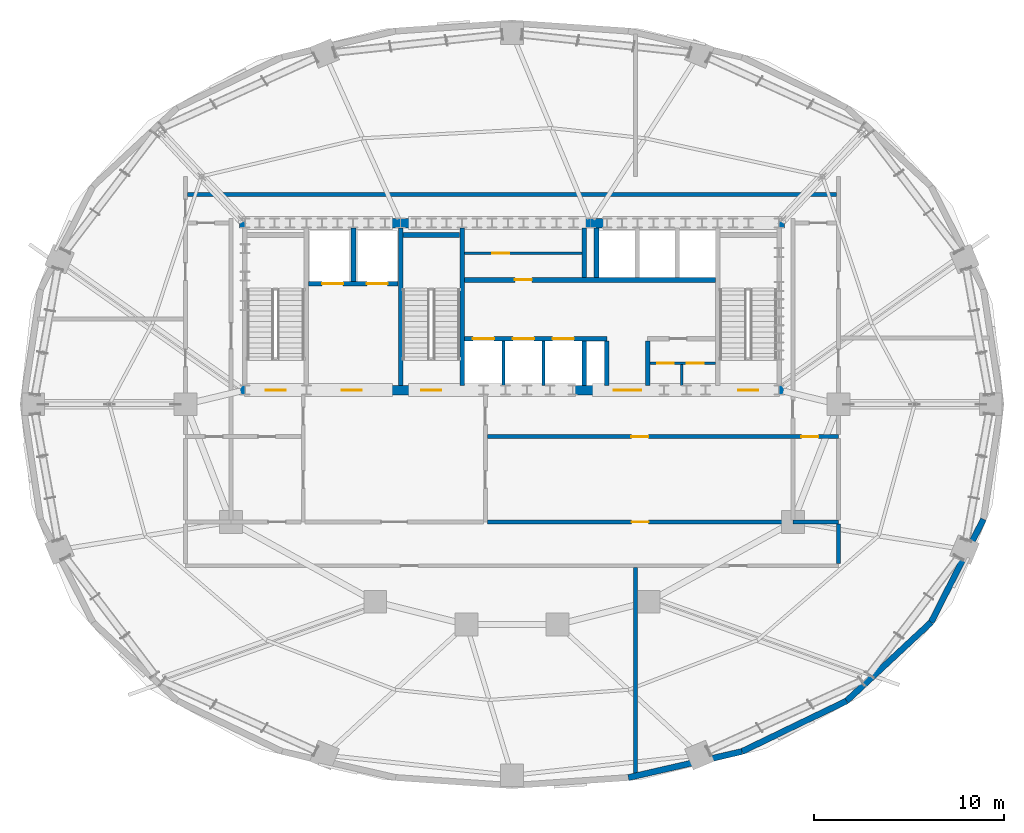
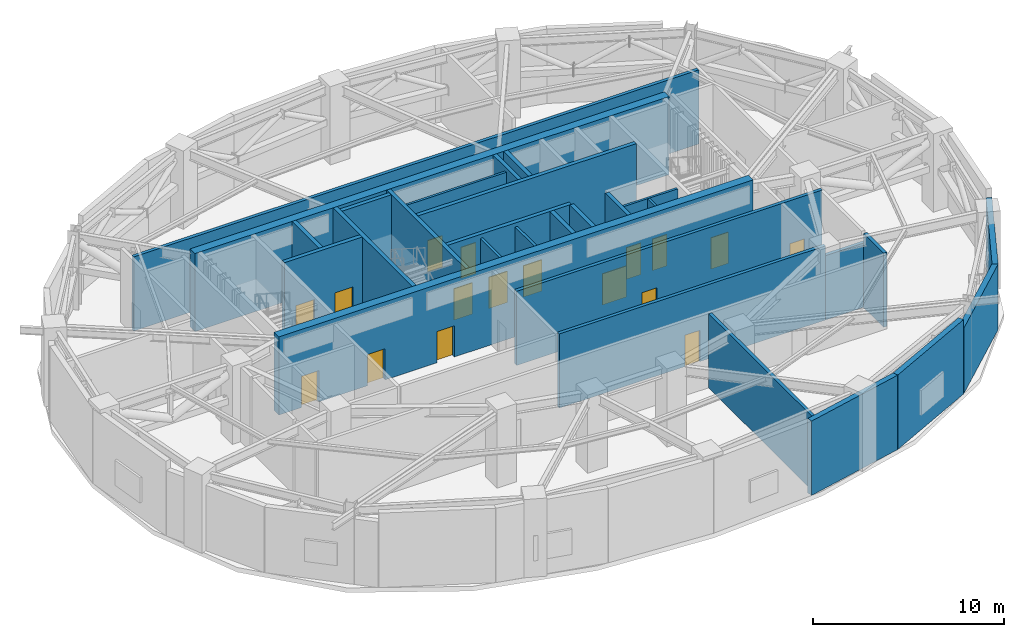
# One storey, part 12 of 17: 29 walls, 17 doors, 17 openings.
"""IFC4 building model written with IfcOpenShell, lengths in metres."""

import ifcopenshell
import ifcopenshell.guid

model = None  # the IFC model being written
_history = None  # IfcOwnerHistory: only IFC2X3 demands one
_inside = {}  # id of a spatial element -> (the spatial element, [elements in it])
_under = {}  # id of a project, library or spatial element -> (it, [spatial elements below it])
_declared = {}  # id of a project -> (the project, [libraries it declares])
_typed = {}  # id of a type object -> (the type object, [elements of that type])
_made_of = {}  # id of a material, layer set ... -> (it, [elements and type objects made of it])


def new_model(schema):
    """Start an empty IFC model of exactly this schema.

    Asked for "IFC4X3", IfcOpenShell would pick the latest addendum, in which some entities
    have other attributes; the version numbers below select the first issue.
    IFC2X3 requires an IfcOwnerHistory on every rooted entity: one is made here for all.
    """
    global model, _history
    if schema == "IFC4X3":
        model = ifcopenshell.file(schema_version=(4, 3, 0, 0))
    else:
        model = ifcopenshell.file(schema=schema)
    _inside.clear()
    _under.clear()
    _declared.clear()
    _typed.clear()
    _made_of.clear()
    _history = None
    if model.schema == "IFC2X3":
        org = make("IfcOrganization", Name="unknown")
        user = make(
            "IfcPersonAndOrganization",
            ThePerson=make("IfcPerson", FamilyName="unknown"),
            TheOrganization=org,
        )
        app = make(
            "IfcApplication",
            ApplicationDeveloper=org,
            Version="unknown",
            ApplicationFullName="unknown",
            ApplicationIdentifier="unknown",
        )
        _history = make(
            "IfcOwnerHistory",
            OwningUser=user,
            OwningApplication=app,
            ChangeAction="ADDED",
            CreationDate=0,
        )
    return model


def make(cls, **values):
    """One entity of the class cls with the attributes given. An attribute that is None is left unset."""
    return model.create_entity(
        cls, **{name: value for name, value in values.items() if value is not None}
    )


def rooted(cls, **values):
    """An entity with a GlobalId (a new one), such as an element, a storey or a relation."""
    return make(cls, GlobalId=ifcopenshell.guid.new(), OwnerHistory=_history, **values)


def si_unit(unit_type, name, prefix=None):
    """IfcSIUnit, for example si_unit("LENGTHUNIT", "METRE", prefix="MILLI")."""
    return make("IfcSIUnit", UnitType=unit_type, Prefix=prefix, Name=name)


def assignment(units):
    """IfcUnitAssignment: the units of a project."""
    return None if units is None else make("IfcUnitAssignment", Units=units)


def point(xyz):
    """IfcCartesianPoint."""
    return None if xyz is None else make("IfcCartesianPoint", Coordinates=xyz)


def direction(xyz):
    """IfcDirection."""
    return None if xyz is None else make("IfcDirection", DirectionRatios=xyz)


def frame(location, z_axis=None, x_axis=None):
    """IfcAxis2Placement3D, a coordinate frame: its origin and axes. An axis left out is left unset."""
    return make(
        "IfcAxis2Placement3D",
        Location=point(location),
        Axis=direction(z_axis),
        RefDirection=direction(x_axis),
    )


def frame_2d(location, x_axis=None):
    """IfcAxis2Placement2D, a coordinate frame in the plane: its origin and x axis."""
    return make(
        "IfcAxis2Placement2D", Location=point(location), RefDirection=direction(x_axis)
    )


def origin():
    """The frame at (0, 0, 0) with its axes left unset."""
    return frame((0.0, 0.0, 0.0))


def place(relative_to, where):
    """IfcLocalPlacement: puts the frame where relative to a parent placement (None: the world)."""
    return make(
        "IfcLocalPlacement", PlacementRelTo=relative_to, RelativePlacement=where
    )


def context(
    kind, dimensions, precision=None, world=None, true_north=None, identifier=None
):
    """IfcGeometricRepresentationContext, for example the 3D "Model" context."""
    return make(
        "IfcGeometricRepresentationContext",
        ContextIdentifier=identifier,
        ContextType=kind,
        CoordinateSpaceDimension=dimensions,
        Precision=precision,
        WorldCoordinateSystem=world,
        TrueNorth=true_north,
    )


def subcontext(parent, identifier, kind, view, scale=None):
    """IfcGeometricRepresentationSubContext, for example "Body" below "Model"."""
    return make(
        "IfcGeometricRepresentationSubContext",
        ContextIdentifier=identifier,
        ContextType=kind,
        ParentContext=parent,
        TargetScale=scale,
        TargetView=view,
    )


def project(units=None, contexts=None):
    """IfcProject with its units and contexts."""
    return rooted(
        "IfcProject",
        Name="project",
        RepresentationContexts=contexts,
        UnitsInContext=assignment(units),
    )


def spatial(cls, under=None, at=None, **own):
    """A site, building, storey or space (cls), placed at a placement, below another one or the project."""
    s = rooted(cls, ObjectPlacement=at, **own)
    if under is not None:
        _under.setdefault(under.id(), (under, []))[1].append(s)
    return s


def profile(cls, at=None, kind="AREA", **sizes):
    """A parametric profile (cls). Its sizes go by their IFC names, for example OverallWidth=200.0."""
    return make(cls, ProfileType=kind, Position=at, **sizes)


def rectangle(**sizes):
    """IfcRectangleProfileDef."""
    return profile("IfcRectangleProfileDef", **sizes)


def extrude(swept, where, along, depth):
    """IfcExtrudedAreaSolid: the profile swept, set in the frame where, extruded along a direction by depth."""
    return make(
        "IfcExtrudedAreaSolid",
        SweptArea=swept,
        Position=where,
        ExtrudedDirection=direction(along),
        Depth=depth,
    )


def shape(context_of_items, identifier, shape_type, items):
    """IfcShapeRepresentation: the items that make up one representation, for example the "Body"."""
    return make(
        "IfcShapeRepresentation",
        ContextOfItems=context_of_items,
        RepresentationIdentifier=identifier,
        RepresentationType=shape_type,
        Items=items,
    )


def material(Name=None, Category=None):
    """IfcMaterial."""
    return make("IfcMaterial", Name=Name, Category=Category)


def layer(
    of_material, thickness, ventilated=None, Name=None, Category=None, Priority=None
):
    """IfcMaterialLayer: one layer of a wall or slab, of a material (None: an air gap)."""
    return make(
        "IfcMaterialLayer",
        Material=of_material,
        LayerThickness=thickness,
        IsVentilated=ventilated,
        Name=Name,
        Category=Category,
        Priority=Priority,
    )


def layer_set(layers, Name=None):
    """IfcMaterialLayerSet."""
    return make("IfcMaterialLayerSet", MaterialLayers=layers, LayerSetName=Name)


def made_of(thing, what):
    """Note that an element or type object is made of a material, layer set ...; save() writes the relation."""
    if what is not None:
        _made_of.setdefault(what.id(), (what, []))[1].append(thing)
    return thing


def type_object(cls, material=None, **own):
    """A type object (cls), such as IfcWallType, which elements share."""
    return made_of(rooted(cls, **own), material)


def element(
    cls,
    number,
    at=None,
    inside=None,
    cuts=None,
    type_object=None,
    material=None,
    context=None,
    identifier="Body",
    shape_type=None,
    held_by="IfcProductDefinitionShape",
    body=None,
    shapes=None,
    **own,
):
    """One element of the class cls, such as IfcWall. Its Tag is "e" and its number.

    at: its placement. inside: the storey or other place that contains it. cuts: it is an
    opening in that element (IfcRelVoidsElement). A single representation is given by context,
    identifier, shape_type and body (its items); several are given by shapes. held_by: the class
    of the entity that holds the representations. save() writes the other relations.
    """
    e = rooted(cls, Tag="e%d" % number, ObjectPlacement=at, **own)
    if body is not None:
        shapes = [shape(context, identifier, shape_type, body)]
    if shapes is not None:
        e.Representation = make(held_by, Representations=shapes)
    if inside is not None:
        _inside.setdefault(inside.id(), (inside, []))[1].append(e)
    if cuts is not None:
        rooted(
            "IfcRelVoidsElement", RelatingBuildingElement=cuts, RelatedOpeningElement=e
        )
    if type_object is not None:
        _typed.setdefault(type_object.id(), (type_object, []))[1].append(e)
    return made_of(e, material)


def fill(opening, filler):
    """IfcRelFillsElement: the door or window that sits in an opening."""
    return rooted(
        "IfcRelFillsElement",
        RelatingOpeningElement=opening,
        RelatedBuildingElement=filler,
    )


def aggregate(whole, parts):
    """IfcRelAggregates: a whole, such as a stair, and the parts it consists of."""
    return rooted("IfcRelAggregates", RelatingObject=whole, RelatedObjects=parts)


def save(model, path):
    """Write the relations noted so far, then the file.

    IfcRelAggregates (storeys below a building ...), IfcRelContainedInSpatialStructure (elements
    in a storey), IfcRelDefinesByType, IfcRelAssociatesMaterial and IfcRelDeclares: one each for
    every whole, place, type object, material and project.
    """
    for whole, parts in _under.values():
        aggregate(whole, parts)
    for where, things in _inside.values():
        rooted(
            "IfcRelContainedInSpatialStructure",
            RelatedElements=things,
            RelatingStructure=where,
        )
    for kind, things in _typed.values():
        rooted("IfcRelDefinesByType", RelatedObjects=things, RelatingType=kind)
    for what, things in _made_of.values():
        rooted("IfcRelAssociatesMaterial", RelatedObjects=things, RelatingMaterial=what)
    for by, libraries in _declared.values():
        rooted("IfcRelDeclares", RelatingContext=by, RelatedDefinitions=libraries)
    model.write(path)


model = new_model("IFC4")

# Units and contexts
model_context = context("Model", 3, precision=1e-05, world=origin(), true_north=direction((0.0, 1.0)))
body_context = subcontext(model_context, "Body", "Model", "MODEL_VIEW")
ifc_project = project(units=[si_unit("LENGTHUNIT", "METRE"), si_unit("AREAUNIT", "SQUARE_METRE"), si_unit("VOLUMEUNIT", "CUBIC_METRE"), si_unit("PLANEANGLEUNIT", "RADIAN"), si_unit("MASSUNIT", "GRAM", prefix="KILO")], contexts=[model_context])

# Site, building, storey
site_placement = place(None, origin())
site = spatial("IfcSite", under=ifc_project, at=site_placement, CompositionType="ELEMENT")
building_placement = place(site_placement, origin())
building = spatial("IfcBuilding", under=site, at=building_placement, Name="Haldorwick Loom Tower", CompositionType="ELEMENT")
storey_placement = place(building_placement, frame((0.0, 0.0, 149.449951171875)))
storey = spatial("IfcBuildingStorey", under=building, at=storey_placement, Name="L40", CompositionType="ELEMENT", Elevation=149.449951171875)

# Walls
ifc_material_1 = material(Name="Pressed Clay Face Brick and Insulated Masonry Backup Assembly", Category="masonry")
ifc_layer_1 = layer(ifc_material_1, 0.320068359375, Name="Pressed Clay Face Brick and Insulated Masonry Backup Assembly", Category="masonry")
ifc_layer_set_1 = layer_set([ifc_layer_1], Name="Pressed Clay Face Brick and Insulated Masonry Backup Assembly")
wall_type_1 = type_object("IfcWallType", Name="ARC-WL-EXT320", PredefinedType="STANDARD", material=ifc_layer_set_1)
wall_1_placement = place(storey_placement, frame((42.12890625, 6.3359375, 0.0), z_axis=(0.0, 0.0, 1.0), x_axis=(0.974593223547, 0.223982250674, 0.0)))
element("IfcWall", 1, at=wall_1_placement, inside=storey, type_object=wall_type_1, Name="L40 Brick Pier and Spandrel Wall 20", PredefinedType="STANDARD", context=body_context, shape_type="SweptSolid", body=[
    extrude(rectangle(XDim=6.138916015625, YDim=0.320068359375, at=frame_2d((3.0693359375, 0.0))), origin(), (0.0, 0.0, 1.0), 4.760009765625),
])
wall_2_placement = place(storey_placement, frame((48.11181640625, 7.7109375, 0.0), z_axis=(0.0, 0.0, 1.0), x_axis=(0.900479976617, 0.434897472644, 0.0)))
element("IfcWall", 2, at=wall_2_placement, inside=storey, type_object=wall_type_1, Name="L40 Brick Pier and Spandrel Wall 21", PredefinedType="STANDARD", context=body_context, shape_type="SweptSolid", body=[
    extrude(rectangle(XDim=6.118408203125, YDim=0.320068359375, at=frame_2d((3.05908203125, 0.0))), origin(), (0.0, 0.0, 1.0), 4.760009765625),
])
for number, where, z_axis, x_axis, name in (
    (3, (53.621337890625, 10.371826171875, 0.0), (0.0, 0.0, 1.0), (0.731982952968, 0.681322945866, 0.0), "L40 Brick Pier and Spandrel Wall 22"),
    (4, (58.07666015625, 14.518798828125, 0.0), (0.0, 0.0, 1.0), (0.453172129629, 0.89142303141, 0.0), "L40 Brick Pier and Spandrel Wall 23"),
):
    element("IfcWall", number, at=place(storey_placement, frame(where, z_axis=z_axis, x_axis=x_axis)), inside=storey, type_object=wall_type_1, Name=name, PredefinedType="STANDARD", context=body_context, shape_type="SweptSolid", body=[
        extrude(rectangle(XDim=6.086669921875, YDim=0.320068359375, at=frame_2d((3.04345703125, 0.0))), origin(), (0.0, 0.0, 1.0), 4.191162109375),
    ])

# Wall, openings, doors
ifc_material_2 = material(Name="Fire-Rated Type X Gypsum Stud Assembly EI 120")
ifc_layer_2 = layer(ifc_material_2, 0.199951171875, Name="Fire-Rated Type X Gypsum Stud Assembly EI 120")
ifc_layer_set_2 = layer_set([ifc_layer_2], Name="Fire-Rated Type X Gypsum Stud Assembly EI 120")
wall_type_2 = type_object("IfcWallType", Name="ARC-WL-FIRE200", PredefinedType="PARTITIONING", material=ifc_layer_set_2)
wall_3_placement = place(storey_placement, frame((34.702880859375, 24.300048828125, 0.0), z_axis=(0.0, 0.0, 1.0), x_axis=(1.0, 0.0, 0.0)))
wall_3 = element("IfcWall", 5, at=wall_3_placement, inside=storey, type_object=wall_type_2, Name="L40 Interior Partition L40-PC-S2", PredefinedType="PARTITIONING", context=body_context, shape_type="SweptSolid", body=[
    extrude(rectangle(XDim=18.4970703125, YDim=0.199951171875, at=frame_2d((9.24853515625, 0.0))), origin(), (0.0, 0.0, 1.0), 4.7451171875),
])
opening_1_placement = place(wall_3_placement, frame((7.58740234375, 0.0, 0.0)))
opening_1 = element("IfcOpeningElement", 6, at=opening_1_placement, cuts=wall_3, Name="Opening D-FD60A", PredefinedType="OPENING", context=body_context, shape_type="SweptSolid", body=[
    extrude(rectangle(XDim=0.89990234375, YDim=2.0, at=frame_2d((0.449951171875, 1.0))), frame((0.0, 0.10986328125, 0.0), z_axis=(0.0, -1.0, 0.0), x_axis=(1.0, 0.0, 0.0)), (0.0, 0.0, 1.0), 0.219970703125),
])
opening_2_placement = place(wall_3_placement, frame((16.53564453125, 0.0, 0.0)))
opening_2 = element("IfcOpeningElement", 7, at=opening_2_placement, cuts=wall_3, Name="Opening D-FD60A", PredefinedType="OPENING", context=body_context, shape_type="SweptSolid", body=[
    extrude(rectangle(XDim=0.89990234375, YDim=2.0, at=frame_2d((0.449951171875, 1.0))), frame((0.0, 0.10986328125, 0.0), z_axis=(0.0, -1.0, 0.0), x_axis=(1.0, 0.0, 0.0)), (0.0, 0.0, 1.0), 0.219970703125),
])
ifc_material_3 = material(Name="Hollow Steel Fire Door Assembly", Category="steel")
door_type_1 = type_object("IfcDoorType", Name="ARC-DR-FD60-90", OperationType="NOTDEFINED", PredefinedType="DOOR", material=ifc_material_3)
door_1_placement = place(opening_1_placement, origin())
door_1 = element("IfcDoor", 8, at=door_1_placement, inside=storey, type_object=door_type_1, Name="L40 East Plant Exit Corridor to Electrical Transformer Room 6 Door", OperationType="SINGLE_SWING_LEFT", OverallHeight=2.0, OverallWidth=0.89990234375, PredefinedType="DOOR", context=body_context, shape_type="SweptSolid", body=[
    extrude(rectangle(XDim=0.89990234375, YDim=2.0, at=frame_2d((0.449951171875, 1.0))), frame((0.0, 0.02490234375, 0.0), z_axis=(0.0, -1.0, 0.0), x_axis=(1.0, 0.0, 0.0)), (0.0, 0.0, 1.0), 0.050048828125),
])
fill(opening_1, door_1)
door_2_placement = place(opening_2_placement, origin())
door_2 = element("IfcDoor", 9, at=door_2_placement, inside=storey, type_object=door_type_1, Name="L40 East Mechanical Corridor to Pump and Tank Plant 7 Door", OperationType="SINGLE_SWING_RIGHT", OverallHeight=2.0, OverallWidth=0.89990234375, PredefinedType="DOOR", context=body_context, shape_type="SweptSolid", body=[
    extrude(rectangle(XDim=0.89990234375, YDim=2.0, at=frame_2d((0.449951171875, 1.0))), frame((0.0, 0.02490234375, 0.0), z_axis=(0.0, -1.0, 0.0), x_axis=(1.0, 0.0, 0.0)), (0.0, 0.0, 1.0), 0.050048828125),
])
fill(opening_2, door_2)

# Wall
wall_4_placement = place(storey_placement, frame((50.800048828125, 19.800048828125, 0.0), z_axis=(0.0, 0.0, 1.0), x_axis=(1.0, 0.0, 0.0)))
element("IfcWall", 10, at=wall_4_placement, inside=storey, type_object=wall_type_2, Name="L40 Interior Partition L40-PC-S4E", PredefinedType="PARTITIONING", context=body_context, shape_type="SweptSolid", body=[
    extrude(rectangle(XDim=2.39990234375, YDim=0.199951171875, at=frame_2d((1.199951171875, 0.0))), origin(), (0.0, 0.0, 1.0), 4.1181640625),
])

# Wall, opening, door
wall_5_placement = place(storey_placement, frame((34.702880859375, 19.800048828125, 0.0), z_axis=(0.0, 0.0, 1.0), x_axis=(1.0, 0.0, 0.0)))
wall_5 = element("IfcWall", 11, at=wall_5_placement, inside=storey, type_object=wall_type_2, Name="L40 Interior Partition L40-PC-S4", PredefinedType="PARTITIONING", context=body_context, shape_type="SweptSolid", body=[
    extrude(rectangle(XDim=16.09716796875, YDim=0.199951171875, at=frame_2d((8.048583984375, 0.0))), origin(), (0.0, 0.0, 1.0), 4.7451171875),
])
opening_3_placement = place(wall_5_placement, frame((7.598388671875, 0.0, 0.0)))
opening_3 = element("IfcOpeningElement", 12, at=opening_3_placement, cuts=wall_5, Name="Opening D-FD60A", PredefinedType="OPENING", context=body_context, shape_type="SweptSolid", body=[
    extrude(rectangle(XDim=0.89990234375, YDim=2.0, at=frame_2d((0.449951171875, 1.0))), frame((0.0, 0.10986328125, 0.0), z_axis=(0.0, -1.0, 0.0), x_axis=(1.0, 0.0, 0.0)), (0.0, 0.0, 1.0), 0.219970703125),
])
door_3_placement = place(opening_3_placement, frame((0.89990234375, 0.0, 0.0), z_axis=(0.0, 0.0, 1.0), x_axis=(-1.0, 0.0, 0.0)))
door_3 = element("IfcDoor", 13, at=door_3_placement, inside=storey, type_object=door_type_1, Name="L40 Electrical Transformer Room 6 to South Plant Service Corridor Door", OperationType="SINGLE_SWING_RIGHT", OverallHeight=2.0, OverallWidth=0.89990234375, PredefinedType="DOOR", context=body_context, shape_type="SweptSolid", body=[
    extrude(rectangle(XDim=0.89990234375, YDim=2.0, at=frame_2d((0.449951171875, 1.0))), frame((0.0, 0.02490234375, 0.0), z_axis=(0.0, -1.0, 0.0), x_axis=(1.0, 0.0, 0.0)), (0.0, 0.0, 1.0), 0.050048828125),
])
fill(opening_3, door_3)

# Walls
wall_6_placement = place(storey_placement, frame((53.199951171875, 17.60302734375, 0.0), z_axis=(0.0, 0.0, 1.0), x_axis=(0.0, 1.0, 0.0)))
element("IfcWall", 14, at=wall_6_placement, inside=storey, type_object=wall_type_2, Name="L40 Interior Partition L40-PC-E1", PredefinedType="PARTITIONING", context=body_context, shape_type="SweptSolid", body=[
    extrude(rectangle(XDim=2.093994140625, YDim=0.199951171875, at=frame_2d((1.046875, 0.0))), origin(), (0.0, 0.0, 1.0), 4.7451171875),
])
wall_7_placement = place(storey_placement, frame((18.903076171875, 37.050048828125, 0.0), z_axis=(0.0, 0.0, 1.0), x_axis=(1.0, 0.0, 0.0)))
element("IfcWall", 15, at=wall_7_placement, inside=storey, type_object=wall_type_2, Name="L40 Interior Partition L40-PC-N1", PredefinedType="PARTITIONING", context=body_context, shape_type="SweptSolid", body=[
    extrude(rectangle(XDim=34.19384765625, YDim=0.199951171875, at=frame_2d((17.096923828125, 0.0))), origin(), (0.0, 0.0, 1.0), 4.7451171875),
])
wall_8_placement = place(storey_placement, frame((42.5, 6.488037109375, 0.0), z_axis=(0.0, 0.0, 1.0), x_axis=(0.0, 1.0, 0.0)))
element("IfcWall", 16, at=wall_8_placement, inside=storey, type_object=wall_type_2, Name="L40 Interior Partition L40-PL-S", PredefinedType="PARTITIONING", context=body_context, shape_type="SweptSolid", body=[
    extrude(rectangle(XDim=10.908935546875, YDim=0.199951171875, at=frame_2d((5.45458984375, 0.0))), origin(), (0.0, 0.0, 1.0), 4.7451171875),
])

# Wall, opening, door
ifc_material_4 = material(Name="Fire-Rated Type X Gypsum Stud Assembly EI 60")
ifc_layer_3 = layer(ifc_material_4, 0.139892578125, Name="Fire-Rated Type X Gypsum Stud Assembly EI 60")
ifc_layer_set_3 = layer_set([ifc_layer_3], Name="Fire-Rated Type X Gypsum Stud Assembly EI 60")
wall_type_3 = type_object("IfcWallType", Name="ARC-WL-PART140", PredefinedType="PARTITIONING", material=ifc_layer_set_3)
wall_9_placement = place(storey_placement, frame((33.492919921875, 33.9599609375, 0.0), z_axis=(0.0, 0.0, 1.0), x_axis=(1.0, 0.0, 0.0)))
wall_9 = element("IfcWall", 17, at=wall_9_placement, inside=storey, type_object=wall_type_3, Name="L40 Alcove Partition", PredefinedType="PARTITIONING", context=body_context, shape_type="SweptSolid", body=[
    extrude(rectangle(XDim=6.18408203125, YDim=0.139892578125, at=frame_2d((3.092041015625, 0.0))), origin(), (0.0, 0.0, 1.0), 4.7451171875),
])
opening_4_placement = place(wall_9_placement, frame((1.45703125, 0.0, 0.0)))
opening_4 = element("IfcOpeningElement", 18, at=opening_4_placement, cuts=wall_9, Name="Opening D-FD60A", PredefinedType="OPENING", context=body_context, shape_type="SweptSolid", body=[
    extrude(rectangle(XDim=0.89990234375, YDim=2.0, at=frame_2d((0.449951171875, 1.0))), frame((0.0, 0.079833984375, 0.0), z_axis=(0.0, -1.0, 0.0), x_axis=(1.0, 0.0, 0.0)), (0.0, 0.0, 1.0), 0.159912109375),
])
door_4_placement = place(opening_4_placement, frame((0.89990234375, 0.0, 0.0), z_axis=(0.0, 0.0, 1.0), x_axis=(-1.0, 0.0, 0.0)))
door_4 = element("IfcDoor", 19, at=door_4_placement, inside=storey, type_object=door_type_1, Name="L40 Trunk Store Door", OperationType="SINGLE_SWING_LEFT", OverallHeight=2.0, OverallWidth=0.89990234375, PredefinedType="DOOR", context=body_context, shape_type="SweptSolid", body=[
    extrude(rectangle(XDim=0.89990234375, YDim=2.0, at=frame_2d((0.449951171875, 1.0))), frame((0.0, 0.02490234375, 0.0), z_axis=(0.0, -1.0, 0.0), x_axis=(1.0, 0.0, 0.0)), (0.0, 0.0, 1.0), 0.050048828125),
])
fill(opening_4, door_4)

# Wall, openings, doors
wall_10_placement = place(storey_placement, frame((43.27294921875, 28.159912109375, 0.0), z_axis=(0.0, 0.0, 1.0), x_axis=(1.0, 0.0, 0.0)))
wall_10 = element("IfcWall", 20, at=wall_10_placement, inside=storey, type_object=wall_type_3, Name="L40 Telecom Partition", PredefinedType="PARTITIONING", context=body_context, shape_type="SweptSolid", body=[
    extrude(rectangle(XDim=3.43408203125, YDim=0.139892578125, at=frame_2d((1.717041015625, 0.0))), origin(), (0.0, 0.0, 1.0), 4.7451171875),
])
opening_5_placement = place(wall_10_placement, frame((0.366943359375, 0.0, 0.0)))
opening_5 = element("IfcOpeningElement", 21, at=opening_5_placement, cuts=wall_10, Name="Opening D-BT88", PredefinedType="OPENING", context=body_context, shape_type="SweptSolid", body=[
    extrude(rectangle(XDim=0.8798828125, YDim=2.02001953125, at=frame_2d((0.43994140625, 1.010009765625))), frame((0.0, 0.079833984375, 0.0), z_axis=(0.0, -1.0, 0.0), x_axis=(1.0, 0.0, 0.0)), (0.0, 0.0, 1.0), 0.159912109375),
])
opening_6_placement = place(wall_10_placement, frame((1.93701171875, 0.0, 0.0)))
opening_6 = element("IfcOpeningElement", 22, at=opening_6_placement, cuts=wall_10, Name="Opening D-BT88", PredefinedType="OPENING", context=body_context, shape_type="SweptSolid", body=[
    extrude(rectangle(XDim=0.8798828125, YDim=2.02001953125, at=frame_2d((0.43994140625, 1.010009765625))), frame((0.0, 0.079833984375, 0.0), z_axis=(0.0, -1.0, 0.0), x_axis=(1.0, 0.0, 0.0)), (0.0, 0.0, 1.0), 0.159912109375),
])
ifc_material_5 = material(Name="Solid Core Birch Architectural Door")
door_type_2 = type_object("IfcDoorType", Name="ARC-DR-BATH88", OperationType="NOTDEFINED", PredefinedType="DOOR", material=ifc_material_5)
door_5_placement = place(opening_5_placement, origin())
door_5 = element("IfcDoor", 23, at=door_5_placement, inside=storey, type_object=door_type_2, Name="L40 Telecom Room Door", OperationType="SINGLE_SWING_LEFT", OverallHeight=2.02001953125, OverallWidth=0.8798828125, PredefinedType="DOOR", context=body_context, shape_type="SweptSolid", body=[
    extrude(rectangle(XDim=0.8798828125, YDim=2.02001953125, at=frame_2d((0.43994140625, 1.010009765625))), frame((0.0, 0.02490234375, 0.0), z_axis=(0.0, -1.0, 0.0), x_axis=(1.0, 0.0, 0.0)), (0.0, 0.0, 1.0), 0.050048828125),
])
fill(opening_5, door_5)
door_6_placement = place(opening_6_placement, origin())
door_6 = element("IfcDoor", 24, at=door_6_placement, inside=storey, type_object=door_type_2, Name="L40 Metering Closet Door", OperationType="SINGLE_SWING_RIGHT", OverallHeight=2.02001953125, OverallWidth=0.8798828125, PredefinedType="DOOR", context=body_context, shape_type="SweptSolid", body=[
    extrude(rectangle(XDim=0.8798828125, YDim=2.02001953125, at=frame_2d((0.43994140625, 1.010009765625))), frame((0.0, 0.02490234375, 0.0), z_axis=(0.0, -1.0, 0.0), x_axis=(1.0, 0.0, 0.0)), (0.0, 0.0, 1.0), 0.050048828125),
])
fill(opening_6, door_6)

# Walls
wall_11_placement = place(storey_placement, frame((44.949951171875, 27.0029296875, 0.0), z_axis=(0.0, 0.0, 1.0), x_axis=(0.0, 1.0, 0.0)))
element("IfcWall", 25, at=wall_11_placement, inside=storey, type_object=wall_type_3, Name="L40 Metering Sub-Partition", PredefinedType="PARTITIONING", context=body_context, shape_type="SweptSolid", body=[
    extrude(rectangle(XDim=1.083984375, YDim=0.139892578125, at=frame_2d((0.5419921875, 0.0))), origin(), (0.0, 0.0, 1.0), 4.7451171875),
])
ifc_layer_4 = layer(ifc_material_2, 0.1650390625, Name="Fire-Rated Type X Gypsum Stud Assembly EI 120")
ifc_layer_set_4 = layer_set([ifc_layer_4], Name="Fire-Rated Type X Gypsum Stud Assembly EI 120")
wall_type_4 = type_object("IfcWallType", Name="ARC-WL-SHAFT160", PredefinedType="MOVABLE", material=ifc_layer_set_4)
for number, where, z_axis, x_axis, name in (
    (26, (35.550048828125, 27.0029296875, 0.0), (0.0, 0.0, 1.0), (0.0, 1.0, 0.0), "L40 Mid-Rise Hoistway Divider 1"),
    (27, (37.64990234375, 27.0029296875, 0.0), (0.0, 0.0, 1.0), (0.0, 1.0, 0.0), "L40 Mid-Rise Hoistway Divider 2"),
):
    element("IfcWall", number, at=place(storey_placement, frame(where, z_axis=z_axis, x_axis=x_axis)), inside=storey, type_object=wall_type_4, Name=name, PredefinedType="MOVABLE", context=body_context, shape_type="SweptSolid", body=[
        extrude(rectangle(XDim=2.323974609375, YDim=0.159912109375, at=frame_2d((1.162109375, 0.0))), origin(), (0.0, 0.0, 1.0), 4.7451171875),
    ])

# Wall, openings, doors
ifc_material_6 = material(Name="Concrete C60 (60 MPa)", Category="concrete")
ifc_layer_5 = layer(ifc_material_6, 0.5, Name="Concrete C60 (60 MPa)", Category="concrete")
ifc_layer_set_5 = layer_set([ifc_layer_5], Name="Concrete C60 (60 MPa)")
wall_type_5 = type_object("IfcWallType", Name="STR-WL-CORE500", PredefinedType="SHEAR", material=ifc_layer_set_5)
wall_12_placement = place(storey_placement, frame((21.64990234375, 26.75, 0.0), z_axis=(0.0, 0.0, 1.0), x_axis=(1.0, 0.0, 0.0)))
wall_12 = element("IfcWall", 28, at=wall_12_placement, inside=storey, type_object=wall_type_5, Name="L40 Core Shear Wall S", PredefinedType="SHEAR", context=body_context, shape_type="SweptSolid", body=[
    extrude(rectangle(XDim=28.7001953125, YDim=0.5, at=frame_2d((14.35009765625, 0.0))), origin(), (0.0, 0.0, 1.0), 5.0),
])
opening_7_placement = place(wall_12_placement, frame((1.375, 0.0, 0.0)))
opening_7 = element("IfcOpeningElement", 29, at=opening_7_placement, cuts=wall_12, Name="Opening D-FD60", PredefinedType="OPENING", context=body_context, shape_type="SweptSolid", body=[
    extrude(rectangle(XDim=1.050048828125, YDim=2.0, at=frame_2d((0.52490234375, 1.0))), frame((0.0, 0.260009765625, 0.0), z_axis=(0.0, -1.0, 0.0), x_axis=(1.0, 0.0, 0.0)), (0.0, 0.0, 1.0), 0.52001953125),
])
opening_8_placement = place(wall_12_placement, frame((5.375, 0.0, 0.0)))
opening_8 = element("IfcOpeningElement", 30, at=opening_8_placement, cuts=wall_12, Name="Opening D-FD60", PredefinedType="OPENING", context=body_context, shape_type="SweptSolid", body=[
    extrude(rectangle(XDim=1.050048828125, YDim=2.0, at=frame_2d((0.52490234375, 1.0))), frame((0.0, 0.260009765625, 0.0), z_axis=(0.0, -1.0, 0.0), x_axis=(1.0, 0.0, 0.0)), (0.0, 0.0, 1.0), 0.52001953125),
])
opening_9_placement = place(wall_12_placement, frame((9.574951171875, 0.0, 0.0)))
opening_9 = element("IfcOpeningElement", 31, at=opening_9_placement, cuts=wall_12, Name="Opening D-FD60", PredefinedType="OPENING", context=body_context, shape_type="SweptSolid", body=[
    extrude(rectangle(XDim=1.050048828125, YDim=2.0, at=frame_2d((0.52490234375, 1.0))), frame((0.0, 0.260009765625, 0.0), z_axis=(0.0, -1.0, 0.0), x_axis=(1.0, 0.0, 0.0)), (0.0, 0.0, 1.0), 0.52001953125),
])
opening_10_placement = place(wall_12_placement, frame((19.705078125, 0.0, 0.0)))
opening_10 = element("IfcOpeningElement", 32, at=opening_10_placement, cuts=wall_12, Name="Opening D-LB15", PredefinedType="OPENING", context=body_context, shape_type="SweptSolid", body=[
    extrude(rectangle(XDim=1.449951171875, YDim=2.0, at=frame_2d((0.72509765625, 1.0))), frame((0.0, 0.260009765625, 0.0), z_axis=(0.0, -1.0, 0.0), x_axis=(1.0, 0.0, 0.0)), (0.0, 0.0, 1.0), 0.52001953125),
])
opening_11_placement = place(wall_12_placement, frame((26.27490234375, 0.0, 0.0)))
opening_11 = element("IfcOpeningElement", 33, at=opening_11_placement, cuts=wall_12, Name="Opening D-FD60", PredefinedType="OPENING", context=body_context, shape_type="SweptSolid", body=[
    extrude(rectangle(XDim=1.050048828125, YDim=2.0, at=frame_2d((0.52490234375, 1.0))), frame((0.0, 0.260009765625, 0.0), z_axis=(0.0, -1.0, 0.0), x_axis=(1.0, 0.0, 0.0)), (0.0, 0.0, 1.0), 0.52001953125),
])
door_type_3 = type_object("IfcDoorType", Name="ARC-DR-FD60", OperationType="NOTDEFINED", PredefinedType="DOOR", material=ifc_material_3)
door_7_placement = place(opening_7_placement, origin())
door_7 = element("IfcDoor", 34, at=door_7_placement, inside=storey, type_object=door_type_3, Name="L40 Exit Stair ST-01 Fire Door", OperationType="SINGLE_SWING_RIGHT", OverallHeight=2.0, OverallWidth=1.050048828125, PredefinedType="DOOR", context=body_context, shape_type="SweptSolid", body=[
    extrude(rectangle(XDim=1.050048828125, YDim=2.0, at=frame_2d((0.52490234375, 1.0))), frame((0.0, 0.02490234375, 0.0), z_axis=(0.0, -1.0, 0.0), x_axis=(1.0, 0.0, 0.0)), (0.0, 0.0, 1.0), 0.050048828125),
])
fill(opening_7, door_7)
door_8_placement = place(opening_8_placement, origin())
door_8 = element("IfcDoor", 35, at=door_8_placement, inside=storey, type_object=door_type_3, Name="L40 Firefighting Lift Lobby Fire Door", OperationType="SINGLE_SWING_LEFT", OverallHeight=2.0, OverallWidth=1.050048828125, PredefinedType="DOOR", context=body_context, shape_type="SweptSolid", body=[
    extrude(rectangle(XDim=1.050048828125, YDim=2.0, at=frame_2d((0.52490234375, 1.0))), frame((0.0, 0.02490234375, 0.0), z_axis=(0.0, -1.0, 0.0), x_axis=(1.0, 0.0, 0.0)), (0.0, 0.0, 1.0), 0.050048828125),
])
fill(opening_8, door_8)
door_9_placement = place(opening_9_placement, origin())
door_9 = element("IfcDoor", 36, at=door_9_placement, inside=storey, type_object=door_type_3, Name="L40 Exit Stair ST-03 Fire Door", OperationType="SINGLE_SWING_LEFT", OverallHeight=2.0, OverallWidth=1.050048828125, PredefinedType="DOOR", context=body_context, shape_type="SweptSolid", body=[
    extrude(rectangle(XDim=1.050048828125, YDim=2.0, at=frame_2d((0.52490234375, 1.0))), frame((0.0, 0.02490234375, 0.0), z_axis=(0.0, -1.0, 0.0), x_axis=(1.0, 0.0, 0.0)), (0.0, 0.0, 1.0), 0.050048828125),
])
fill(opening_9, door_9)
door_10_placement = place(opening_11_placement, origin())
door_10 = element("IfcDoor", 37, at=door_10_placement, inside=storey, type_object=door_type_3, Name="L40 Exit Stair ST-02 Fire Door", OperationType="SINGLE_SWING_LEFT", OverallHeight=2.0, OverallWidth=1.050048828125, PredefinedType="DOOR", context=body_context, shape_type="SweptSolid", body=[
    extrude(rectangle(XDim=1.050048828125, YDim=2.0, at=frame_2d((0.52490234375, 1.0))), frame((0.0, 0.02490234375, 0.0), z_axis=(0.0, -1.0, 0.0), x_axis=(1.0, 0.0, 0.0)), (0.0, 0.0, 1.0), 0.050048828125),
])
fill(opening_11, door_10)
ifc_material_7 = material(Name="Thermally Broken Anodized Aluminium and Tempered Glass", Category="aluminium")
door_type_4 = type_object("IfcDoorType", Name="ARC-DR-LOB150", OperationType="NOTDEFINED", PredefinedType="DOOR", material=ifc_material_7)
door_11_placement = place(opening_10_placement, frame((1.449951171875, 0.0, 0.0), z_axis=(0.0, 0.0, 1.0), x_axis=(-1.0, 0.0, 0.0)))
door_11 = element("IfcDoor", 38, at=door_11_placement, inside=storey, type_object=door_type_4, Name="L40 Passenger Lift Lobby Fire Door", OperationType="DOUBLE_DOOR_SINGLE_SWING", OverallHeight=2.0, OverallWidth=1.449951171875, PredefinedType="DOOR", context=body_context, shape_type="SweptSolid", body=[
    extrude(rectangle(XDim=1.449951171875, YDim=2.0, at=frame_2d((0.72509765625, 1.0))), frame((0.0, 0.02490234375, 0.0), z_axis=(0.0, -1.0, 0.0), x_axis=(1.0, 0.0, 0.0)), (0.0, 0.0, 1.0), 0.050048828125),
])
fill(opening_10, door_11)

# Walls
wall_13_placement = place(storey_placement, frame((50.35009765625, 35.550048828125, 0.0), z_axis=(0.0, 0.0, 1.0), x_axis=(-1.0, 0.0, 0.0)))
element("IfcWall", 39, at=wall_13_placement, inside=storey, type_object=wall_type_5, Name="L40 Core Shear Wall N", PredefinedType="SHEAR", context=body_context, shape_type="SweptSolid", body=[
    extrude(rectangle(XDim=28.7001953125, YDim=0.5, at=frame_2d((14.35009765625, 0.0))), origin(), (0.0, 0.0, 1.0), 5.0),
])
ifc_material_8 = material(Name="Concrete C50 (50 MPa)", Category="concrete")
ifc_layer_6 = layer(ifc_material_8, 0.239990234375, Name="Concrete C50 (50 MPa)", Category="concrete")
ifc_layer_set_6 = layer_set([ifc_layer_6], Name="Concrete C50 (50 MPa)")
wall_type_6 = type_object("IfcWallType", Name="STR-WL-SHAFT240", PredefinedType="SHEAR", material=ifc_layer_set_6)
for number, where, z_axis, x_axis, name in (
    (40, (30.1298828125, 27.0029296875, 0.0), (0.0, 0.0, 1.0), (0.0, 1.0, 0.0), "L40 Core Shear Wall 2"),
    (41, (33.3701171875, 27.0029296875, 0.0), (0.0, 0.0, 1.0), (0.0, 1.0, 0.0), "L40 Core Shear Wall 3"),
):
    element("IfcWall", number, at=place(storey_placement, frame(where, z_axis=z_axis, x_axis=x_axis)), inside=storey, type_object=wall_type_6, Name=name, PredefinedType="SHEAR", context=body_context, shape_type="SweptSolid", body=[
        extrude(rectangle(XDim=8.294189453125, YDim=0.239990234375, at=frame_2d((4.14697265625, 0.0))), origin(), (0.0, 0.0, 1.0), 5.0),
    ])
wall_14_placement = place(storey_placement, frame((30.2529296875, 34.919921875, 0.0), z_axis=(0.0, 0.0, 1.0), x_axis=(1.0, 0.0, 0.0)))
element("IfcWall", 42, at=wall_14_placement, inside=storey, type_object=wall_type_6, Name="L40 Core Shear Wall 3N", PredefinedType="SHEAR", context=body_context, shape_type="SweptSolid", body=[
    extrude(rectangle(XDim=2.994140625, YDim=0.239990234375, at=frame_2d((1.4970703125, 0.0))), origin(), (0.0, 0.0, 1.0), 5.0),
])

# Wall, openings, doors
wall_15_placement = place(storey_placement, frame((25.29296875, 32.35009765625, 0.0), z_axis=(0.0, 0.0, 1.0), x_axis=(1.0, 0.0, 0.0)))
wall_15 = element("IfcWall", 43, at=wall_15_placement, inside=storey, type_object=wall_type_6, Name="L40 Core Shear Wall FF", PredefinedType="SHEAR", context=body_context, shape_type="SweptSolid", body=[
    extrude(rectangle(XDim=4.714111328125, YDim=0.239990234375, at=frame_2d((2.35693359375, 0.0))), origin(), (0.0, 0.0, 1.0), 5.0),
])
opening_12_placement = place(wall_15_placement, frame((0.70703125, 0.0, 0.0)))
opening_12 = element("IfcOpeningElement", 44, at=opening_12_placement, cuts=wall_15, Name="Opening LD-FF1", PredefinedType="OPENING", context=body_context, shape_type="SweptSolid", body=[
    extrude(rectangle(XDim=1.10009765625, YDim=2.0, at=frame_2d((0.550048828125, 1.0))), frame((0.0, 0.1298828125, 0.0), z_axis=(0.0, -1.0, 0.0), x_axis=(1.0, 0.0, 0.0)), (0.0, 0.0, 1.0), 0.260009765625),
])
opening_13_placement = place(wall_15_placement, frame((3.056884765625, 0.0, 0.0)))
opening_13 = element("IfcOpeningElement", 45, at=opening_13_placement, cuts=wall_15, Name="Opening LD-FF2", PredefinedType="OPENING", context=body_context, shape_type="SweptSolid", body=[
    extrude(rectangle(XDim=1.10009765625, YDim=2.0, at=frame_2d((0.550048828125, 1.0))), frame((0.0, 0.1298828125, 0.0), z_axis=(0.0, -1.0, 0.0), x_axis=(1.0, 0.0, 0.0)), (0.0, 0.0, 1.0), 0.260009765625),
])
door_type_5 = type_object("IfcDoorType", Name="ARC-DR-LD-FF", OperationType="NOTDEFINED", PredefinedType="USERDEFINED", material=ifc_material_3)
door_12_placement = place(opening_12_placement, origin())
door_12 = element("IfcDoor", 46, at=door_12_placement, inside=storey, type_object=door_type_5, Name="L40 Lift LF-FF1 Sliding Landing Door", ObjectType="LANDING DOOR", OperationType="DOUBLE_DOOR_SLIDING", OverallHeight=2.0, OverallWidth=1.10009765625, PredefinedType="USERDEFINED", context=body_context, shape_type="SweptSolid", body=[
    extrude(rectangle(XDim=1.10009765625, YDim=2.0, at=frame_2d((0.550048828125, 1.0))), frame((0.0, 0.02490234375, 0.0), z_axis=(0.0, -1.0, 0.0), x_axis=(1.0, 0.0, 0.0)), (0.0, 0.0, 1.0), 0.050048828125),
])
fill(opening_12, door_12)
door_13_placement = place(opening_13_placement, origin())
door_13 = element("IfcDoor", 47, at=door_13_placement, inside=storey, type_object=door_type_5, Name="L40 Lift LF-FF2 Sliding Landing Door", ObjectType="LANDING DOOR", OperationType="DOUBLE_DOOR_SLIDING", OverallHeight=2.0, OverallWidth=1.10009765625, PredefinedType="USERDEFINED", context=body_context, shape_type="SweptSolid", body=[
    extrude(rectangle(XDim=1.10009765625, YDim=2.0, at=frame_2d((0.550048828125, 1.0))), frame((0.0, 0.02490234375, 0.0), z_axis=(0.0, -1.0, 0.0), x_axis=(1.0, 0.0, 0.0)), (0.0, 0.0, 1.0), 0.050048828125),
])
fill(opening_13, door_13)

# Wall
wall_16_placement = place(storey_placement, frame((27.64990234375, 32.472900390625, 0.0), z_axis=(0.0, 0.0, 1.0), x_axis=(0.0, 1.0, 0.0)))
element("IfcWall", 48, at=wall_16_placement, inside=storey, type_object=wall_type_6, Name="L40 Core Shear Wall FFD", PredefinedType="SHEAR", context=body_context, shape_type="SweptSolid", body=[
    extrude(rectangle(XDim=2.82421875, YDim=0.239990234375, at=frame_2d((1.412109375, 0.0))), origin(), (0.0, 0.0, 1.0), 5.0),
])

# Wall, opening, door
wall_17_placement = place(storey_placement, frame((33.492919921875, 32.550048828125, 0.0), z_axis=(0.0, 0.0, 1.0), x_axis=(1.0, 0.0, 0.0)))
wall_17 = element("IfcWall", 49, at=wall_17_placement, inside=storey, type_object=wall_type_6, Name="L40 Core Shear Wall LN", PredefinedType="SHEAR", context=body_context, shape_type="SweptSolid", body=[
    extrude(rectangle(XDim=13.214111328125, YDim=0.239990234375, at=frame_2d((6.60693359375, 0.0))), origin(), (0.0, 0.0, 1.0), 5.0),
])
opening_14_placement = place(wall_17_placement, frame((2.656982421875, 0.0, 0.0)))
opening_14 = element("IfcOpeningElement", 50, at=opening_14_placement, cuts=wall_17, Name="Opening D-FD60A", PredefinedType="OPENING", context=body_context, shape_type="SweptSolid", body=[
    extrude(rectangle(XDim=0.89990234375, YDim=2.0, at=frame_2d((0.449951171875, 1.0))), frame((0.0, 0.1298828125, 0.0), z_axis=(0.0, -1.0, 0.0), x_axis=(1.0, 0.0, 0.0)), (0.0, 0.0, 1.0), 0.260009765625),
])
door_14_placement = place(opening_14_placement, frame((0.89990234375, 0.0, 0.0), z_axis=(0.0, 0.0, 1.0), x_axis=(-1.0, 0.0, 0.0)))
door_14 = element("IfcDoor", 51, at=door_14_placement, inside=storey, type_object=door_type_1, Name="L40 Floor Equipment Door", OperationType="SINGLE_SWING_RIGHT", OverallHeight=2.0, OverallWidth=0.89990234375, PredefinedType="DOOR", context=body_context, shape_type="SweptSolid", body=[
    extrude(rectangle(XDim=0.89990234375, YDim=2.0, at=frame_2d((0.449951171875, 1.0))), frame((0.0, 0.02490234375, 0.0), z_axis=(0.0, -1.0, 0.0), x_axis=(1.0, 0.0, 0.0)), (0.0, 0.0, 1.0), 0.050048828125),
])
fill(opening_14, door_14)

# Wall, openings, doors
wall_18_placement = place(storey_placement, frame((33.492919921875, 29.449951171875, 0.0), z_axis=(0.0, 0.0, 1.0), x_axis=(1.0, 0.0, 0.0)))
wall_18 = element("IfcWall", 52, at=wall_18_placement, inside=storey, type_object=wall_type_6, Name="L40 Core Shear Wall LS1", PredefinedType="SHEAR", context=body_context, shape_type="SweptSolid", body=[
    extrude(rectangle(XDim=7.507080078125, YDim=0.239990234375, at=frame_2d((3.75341796875, 0.0))), origin(), (0.0, 0.0, 1.0), 5.0),
])
opening_15_placement = place(wall_18_placement, frame((0.447021484375, 0.0, 0.0)))
opening_15 = element("IfcOpeningElement", 53, at=opening_15_placement, cuts=wall_18, Name="Opening LD-M1", PredefinedType="OPENING", context=body_context, shape_type="SweptSolid", body=[
    extrude(rectangle(XDim=1.1201171875, YDim=2.0, at=frame_2d((0.56005859375, 1.0))), frame((0.0, 0.1298828125, 0.0), z_axis=(0.0, -1.0, 0.0), x_axis=(1.0, 0.0, 0.0)), (0.0, 0.0, 1.0), 0.260009765625),
])
opening_16_placement = place(wall_18_placement, frame((2.547119140625, 0.0, 0.0)))
opening_16 = element("IfcOpeningElement", 54, at=opening_16_placement, cuts=wall_18, Name="Opening LD-M2", PredefinedType="OPENING", context=body_context, shape_type="SweptSolid", body=[
    extrude(rectangle(XDim=1.1201171875, YDim=2.0, at=frame_2d((0.56005859375, 1.0))), frame((0.0, 0.1298828125, 0.0), z_axis=(0.0, -1.0, 0.0), x_axis=(1.0, 0.0, 0.0)), (0.0, 0.0, 1.0), 0.260009765625),
])
opening_17_placement = place(wall_18_placement, frame((4.64697265625, 0.0, 0.0)))
opening_17 = element("IfcOpeningElement", 55, at=opening_17_placement, cuts=wall_18, Name="Opening LD-M3", PredefinedType="OPENING", context=body_context, shape_type="SweptSolid", body=[
    extrude(rectangle(XDim=1.1201171875, YDim=2.0, at=frame_2d((0.56005859375, 1.0))), frame((0.0, 0.1298828125, 0.0), z_axis=(0.0, -1.0, 0.0), x_axis=(1.0, 0.0, 0.0)), (0.0, 0.0, 1.0), 0.260009765625),
])
door_type_6 = type_object("IfcDoorType", Name="ARC-DR-LD-PAX", OperationType="NOTDEFINED", PredefinedType="USERDEFINED", material=ifc_material_3)
door_15_placement = place(opening_15_placement, origin())
door_15 = element("IfcDoor", 56, at=door_15_placement, inside=storey, type_object=door_type_6, Name="L40 Lift LF-M1 Sliding Landing Door", ObjectType="LANDING DOOR", OperationType="DOUBLE_DOOR_SLIDING", OverallHeight=2.0, OverallWidth=1.1201171875, PredefinedType="USERDEFINED", context=body_context, shape_type="SweptSolid", body=[
    extrude(rectangle(XDim=1.1201171875, YDim=2.0, at=frame_2d((0.56005859375, 1.0))), frame((0.0, 0.02490234375, 0.0), z_axis=(0.0, -1.0, 0.0), x_axis=(1.0, 0.0, 0.0)), (0.0, 0.0, 1.0), 0.050048828125),
])
fill(opening_15, door_15)
door_16_placement = place(opening_16_placement, origin())
door_16 = element("IfcDoor", 57, at=door_16_placement, inside=storey, type_object=door_type_6, Name="L40 Lift LF-M2 Sliding Landing Door", ObjectType="LANDING DOOR", OperationType="DOUBLE_DOOR_SLIDING", OverallHeight=2.0, OverallWidth=1.1201171875, PredefinedType="USERDEFINED", context=body_context, shape_type="SweptSolid", body=[
    extrude(rectangle(XDim=1.1201171875, YDim=2.0, at=frame_2d((0.56005859375, 1.0))), frame((0.0, 0.02490234375, 0.0), z_axis=(0.0, -1.0, 0.0), x_axis=(1.0, 0.0, 0.0)), (0.0, 0.0, 1.0), 0.050048828125),
])
fill(opening_16, door_16)
door_17_placement = place(opening_17_placement, origin())
door_17 = element("IfcDoor", 58, at=door_17_placement, inside=storey, type_object=door_type_6, Name="L40 Lift LF-M3 Sliding Landing Door", ObjectType="LANDING DOOR", OperationType="DOUBLE_DOOR_SLIDING", OverallHeight=2.0, OverallWidth=1.1201171875, PredefinedType="USERDEFINED", context=body_context, shape_type="SweptSolid", body=[
    extrude(rectangle(XDim=1.1201171875, YDim=2.0, at=frame_2d((0.56005859375, 1.0))), frame((0.0, 0.02490234375, 0.0), z_axis=(0.0, -1.0, 0.0), x_axis=(1.0, 0.0, 0.0)), (0.0, 0.0, 1.0), 0.050048828125),
])
fill(opening_17, door_17)

# Walls
for number, where, z_axis, x_axis, name in (
    (59, (41.0, 27.0029296875, 0.0), (0.0, 0.0, 1.0), (0.0, 1.0, 0.0), "L40 Core Shear Wall THW"),
    (60, (43.14990234375, 27.0029296875, 0.0), (0.0, 0.0, 1.0), (0.0, 1.0, 0.0), "L40 Core Shear Wall THE"),
):
    element("IfcWall", number, at=place(storey_placement, frame(where, z_axis=z_axis, x_axis=x_axis)), inside=storey, type_object=wall_type_6, Name=name, PredefinedType="SHEAR", context=body_context, shape_type="SweptSolid", body=[
        extrude(rectangle(XDim=2.323974609375, YDim=0.239990234375, at=frame_2d((1.162109375, 0.0))), origin(), (0.0, 0.0, 1.0), 5.0),
    ])
for number, where, z_axis, x_axis, name in (
    (61, (39.800048828125, 32.673095703125, 0.0), (0.0, 0.0, 1.0), (0.0, 1.0, 0.0), "L40 Core Shear Wall LHW"),
    (62, (40.449951171875, 32.673095703125, 0.0), (0.0, 0.0, 1.0), (0.0, 1.0, 0.0), "L40 Core Shear Wall H0"),
):
    element("IfcWall", number, at=place(storey_placement, frame(where, z_axis=z_axis, x_axis=x_axis)), inside=storey, type_object=wall_type_6, Name=name, PredefinedType="SHEAR", context=body_context, shape_type="SweptSolid", body=[
        extrude(rectangle(XDim=2.6240234375, YDim=0.239990234375, at=frame_2d((1.31201171875, 0.0))), origin(), (0.0, 0.0, 1.0), 5.0),
    ])
wall_19_placement = place(storey_placement, frame((39.800048828125, 27.0029296875, 0.0), z_axis=(0.0, 0.0, 1.0), x_axis=(0.0, 1.0, 0.0)))
element("IfcWall", 63, at=wall_19_placement, inside=storey, type_object=wall_type_6, Name="L40 Core Shear Wall MRW", PredefinedType="SHEAR", context=body_context, shape_type="SweptSolid", body=[
    extrude(rectangle(XDim=2.323974609375, YDim=0.239990234375, at=frame_2d((1.162109375, 0.0))), origin(), (0.0, 0.0, 1.0), 5.0),
])

save(model, "model.ifc")
